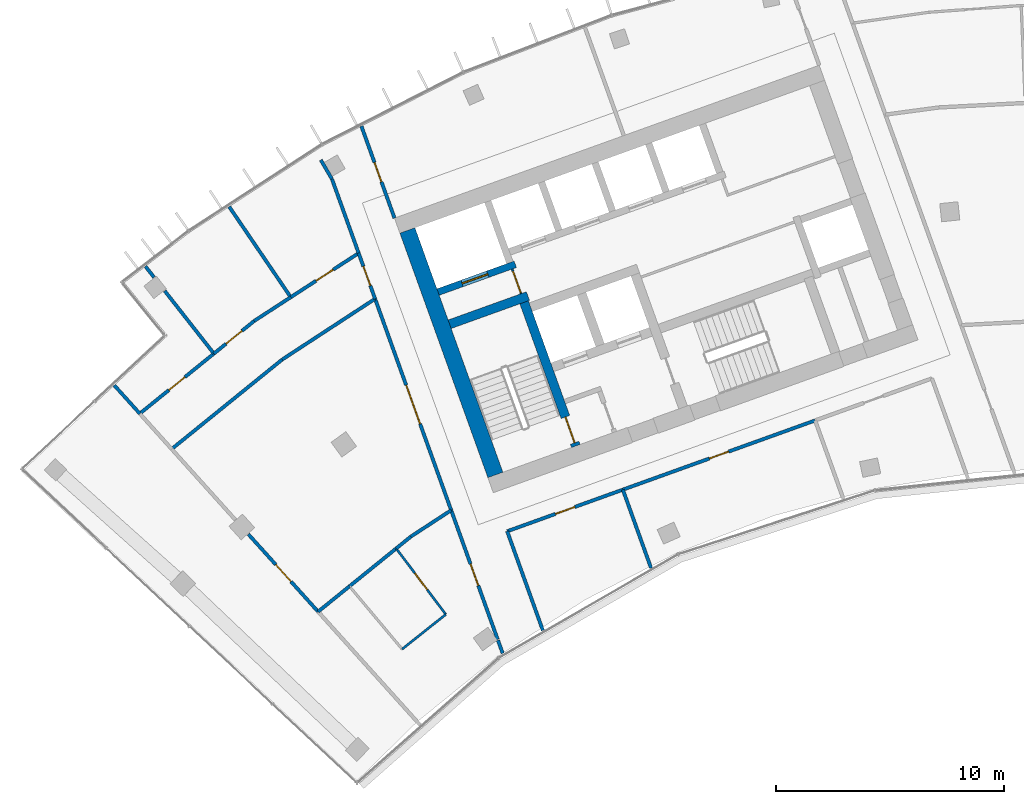
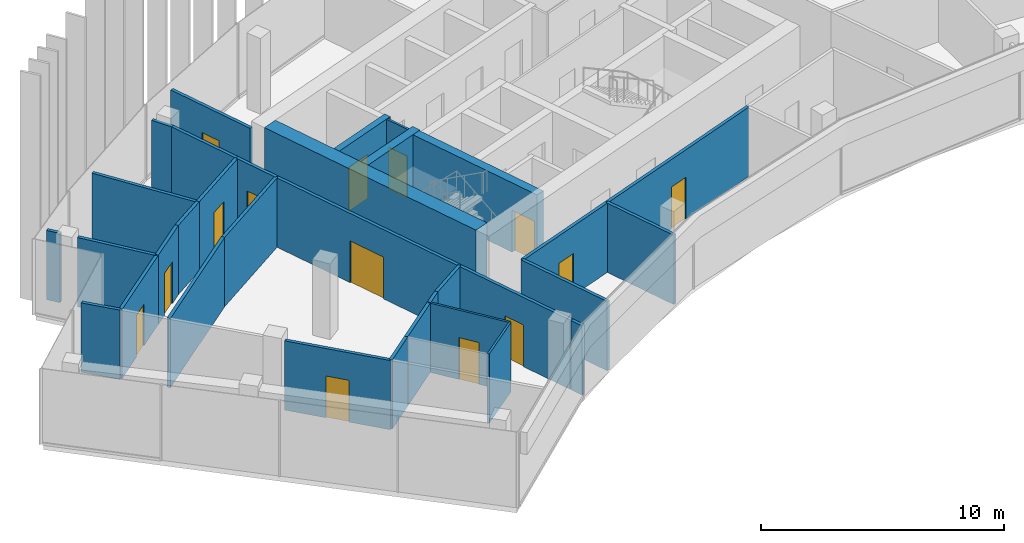
# One storey, part 13 of 18: 33 walls, 14 doors, 14 openings.
"""IFC4 building model written with IfcOpenShell, lengths in metres."""

from ifc_helpers import new_model, si_unit, direction, frame, frame_2d, origin, place, context, subcontext, project, spatial, rectangle, extrude, material, layer, layer_set, type_object, element, fill, save


model = new_model("IFC4")

# Units and contexts
model_context = context("Model", 3, precision=1e-05, world=origin(), true_north=direction((0.0, 1.0)))
body_context = subcontext(model_context, "Body", "Model", "MODEL_VIEW")
ifc_project = project(units=[si_unit("LENGTHUNIT", "METRE"), si_unit("AREAUNIT", "SQUARE_METRE"), si_unit("VOLUMEUNIT", "CUBIC_METRE"), si_unit("PLANEANGLEUNIT", "RADIAN"), si_unit("MASSUNIT", "GRAM", prefix="KILO")], contexts=[model_context])

# Site, building, storey
site_placement = place(None, origin())
site = spatial("IfcSite", under=ifc_project, at=site_placement, CompositionType="ELEMENT")
building_placement = place(site_placement, origin())
building = spatial("IfcBuilding", under=site, at=building_placement, Name="Stone Belt Terrace Tower", CompositionType="ELEMENT")
storey_placement = place(building_placement, frame((0.0, 0.0, 269.39990234375)))
storey = spatial("IfcBuildingStorey", under=building, at=storey_placement, Name="L65", CompositionType="ELEMENT", Elevation=269.39990234375)

# Wall, opening, door
ifc_material_1 = material(Name="Plasterboard partition")
ifc_layer_1 = layer(ifc_material_1, 0.10009765625)
ifc_layer_set_1 = layer_set([ifc_layer_1], Name="Core partition 100")
wall_type_1 = type_object("IfcWallType", Name="Core partition 100", PredefinedType="PARTITIONING", material=ifc_layer_set_1)
wall_1_placement = place(storey_placement, frame((-24.555908203125, 51.10400390625, 0.0), z_axis=(0.0, 0.0, 1.0), x_axis=(-0.338621735342, 0.94092258999, 0.0)))
wall_1 = element("IfcWall", 1, at=wall_1_placement, inside=storey, type_object=wall_type_1, Name="Core A wall", PredefinedType="PARTITIONING", context=body_context, shape_type="SweptSolid", body=[
    extrude(rectangle(XDim=1.14990234375, YDim=0.10009765625, at=frame_2d((0.574951171875, 0.0))), origin(), (0.0, 0.0, 1.0), 3.47998046875),
])
opening_1_placement = place(wall_1_placement, frame((0.050048828125, 0.0, 0.0)))
opening_1 = element("IfcOpeningElement", 2, at=opening_1_placement, cuts=wall_1, Name="Opening L65-C03", PredefinedType="OPENING", context=body_context, shape_type="SweptSolid", body=[
    extrude(rectangle(XDim=1.0, YDim=2.10009765625, at=frame_2d((0.5, 1.050048828125))), frame((0.0, 0.06005859375, 0.0), z_axis=(0.0, -1.0, 0.0), x_axis=(1.0, 0.0, 0.0)), (0.0, 0.0, 1.0), 0.1201171875),
])
ifc_material_2 = material(Name="Timber door leaf", Category="wood")
door_type_1 = type_object("IfcDoorType", Name="Core room door 1000", OperationType="SINGLE_SWING_LEFT", PredefinedType="DOOR", material=ifc_material_2)
door_1_placement = place(opening_1_placement, origin())
door_1 = element("IfcDoor", 3, at=door_1_placement, inside=storey, type_object=door_type_1, Name="Service lift lobby door core A", OperationType="SINGLE_SWING_RIGHT", OverallHeight=2.10009765625, OverallWidth=1.0, PredefinedType="DOOR", context=body_context, shape_type="SweptSolid", body=[
    extrude(rectangle(XDim=1.0, YDim=2.10009765625, at=frame_2d((0.5, 1.050048828125))), frame((0.0, 0.02490234375, 0.0), z_axis=(0.0, -1.0, 0.0), x_axis=(1.0, 0.0, 0.0)), (0.0, 0.0, 1.0), 0.050048828125),
])
fill(opening_1, door_1)

# Wall
ifc_material_3 = material(Name="Concrete B60", Category="concrete")
ifc_layer_2 = layer(ifc_material_3, 0.699951171875)
ifc_layer_set_2 = layer_set([ifc_layer_2], Name="Core wall 700 B60")
wall_type_2 = type_object("IfcWallType", Name="Core wall 700 B60", PredefinedType="SHEAR", material=ifc_layer_set_2)
wall_2_placement = place(storey_placement, frame((-25.679931640625, 43.153564453125, 0.0), z_axis=(0.0, 0.0, 1.0), x_axis=(-0.338625431531, 0.940921259788, 0.0)))
element("IfcWall", 4, at=wall_2_placement, inside=storey, type_object=wall_type_2, Name="Core A wall end_a L65", PredefinedType="SHEAR", context=body_context, shape_type="SweptSolid", body=[
    extrude(rectangle(XDim=11.400146484375, YDim=0.699951171875, at=frame_2d((5.7001953125, 0.0))), origin(), (0.0, 0.0, 1.0), 3.800048828125),
])

# Wall, opening, door
ifc_material_4 = material(Name="Concrete B80", Category="concrete")
ifc_layer_3 = layer(ifc_material_4, 0.300048828125)
ifc_layer_set_3 = layer_set([ifc_layer_3], Name="Lift shaft wall 300")
wall_type_3 = type_object("IfcWallType", Name="Lift shaft wall 300", PredefinedType="SHEAR", material=ifc_layer_set_3)
wall_3_placement = place(storey_placement, frame((-28.195068359375, 51.17578125, 0.0), z_axis=(0.0, 0.0, 1.0), x_axis=(0.940901243567, 0.338681044427, 0.0)))
wall_3 = element("IfcWall", 5, at=wall_3_placement, inside=storey, type_object=wall_type_3, Name="Core A wall", PredefinedType="SHEAR", context=body_context, shape_type="SweptSolid", body=[
    extrude(rectangle(XDim=3.599853515625, YDim=0.300048828125, at=frame_2d((1.7998046875, 0.0))), origin(), (0.0, 0.0, 1.0), 3.47998046875),
])
opening_2_placement = place(wall_3_placement, frame((1.1201171875, 0.0, 0.0)))
opening_2 = element("IfcOpeningElement", 6, at=opening_2_placement, cuts=wall_3, Name="Opening L65-LD07", PredefinedType="OPENING", context=body_context, shape_type="SweptSolid", body=[
    extrude(rectangle(XDim=1.199951171875, YDim=2.199951171875, at=frame_2d((0.60009765625, 1.10009765625))), frame((0.0, 0.159912109375, 0.0), z_axis=(0.0, -1.0, 0.0), x_axis=(1.0, 0.0, 0.0)), (0.0, 0.0, 1.0), 0.320068359375),
])
ifc_material_5 = material(Name="Stainless steel door leaf", Category="steel")
door_type_2 = type_object("IfcDoorType", Name="Landing door 1200", OperationType="SLIDING_TO_LEFT", PredefinedType="DOOR", material=ifc_material_5)
door_2_placement = place(opening_2_placement, origin())
door_2 = element("IfcDoor", 7, at=door_2_placement, inside=storey, type_object=door_type_2, Name="Landing door SV1 core A", OperationType="SLIDING_TO_LEFT", OverallHeight=2.199951171875, OverallWidth=1.199951171875, PredefinedType="DOOR", context=body_context, shape_type="SweptSolid", body=[
    extrude(rectangle(XDim=1.199951171875, YDim=2.199951171875, at=frame_2d((0.60009765625, 1.10009765625))), frame((0.0, 0.02490234375, 0.0), z_axis=(0.0, -1.0, 0.0), x_axis=(1.0, 0.0, 0.0)), (0.0, 0.0, 1.0), 0.050048828125),
])
fill(opening_2, door_2)

# Wall
ifc_material_6 = material(Name="Gypsum board partition")
ifc_layer_4 = layer(ifc_material_6, 0.10009765625)
ifc_layer_set_4 = layer_set([ifc_layer_4], Name="PARTITION 100")
wall_type_4 = type_object("IfcWallType", Name="PARTITION 100", PredefinedType="PARTITIONING", material=ifc_layer_set_4)
wall_4_placement = place(storey_placement, frame((-29.77197265625, 35.513916015625, 0.0), z_axis=(0.0, 0.0, 1.0), x_axis=(0.782936572479, 0.622101537914, 0.0)))
element("IfcWall", 8, at=wall_4_placement, inside=storey, type_object=wall_type_4, Name="L65/wall/i048", PredefinedType="PARTITIONING", context=body_context, shape_type="SweptSolid", body=[
    extrude(rectangle(XDim=2.448486328125, YDim=0.10009765625, at=frame_2d((1.22412109375, 0.0))), origin(), (0.0, 0.0, 1.0), 3.47998046875),
])

# Wall, opening, door
wall_5_placement = place(storey_placement, frame((-27.85498046875, 37.037109375, 0.0), z_axis=(0.0, 0.0, 1.0), x_axis=(-0.601304714061, 0.799019800035, 0.0)))
wall_5 = element("IfcWall", 9, at=wall_5_placement, inside=storey, type_object=wall_type_4, Name="L65/wall/i049", PredefinedType="PARTITIONING", context=body_context, shape_type="SweptSolid", body=[
    extrude(rectangle(XDim=3.620361328125, YDim=0.10009765625, at=frame_2d((1.81005859375, 0.0))), origin(), (0.0, 0.0, 1.0), 3.47998046875),
])
opening_3_placement = place(wall_5_placement, frame((1.3603515625, 0.0, 0.0)))
opening_3 = element("IfcOpeningElement", 10, at=opening_3_placement, cuts=wall_5, Name="Opening D-E1-13", PredefinedType="OPENING", context=body_context, shape_type="SweptSolid", body=[
    extrude(rectangle(XDim=0.89990234375, YDim=2.10009765625, at=frame_2d((0.449951171875, 1.050048828125))), frame((0.0, 0.06005859375, 0.0), z_axis=(0.0, -1.0, 0.0), x_axis=(1.0, 0.0, 0.0)), (0.0, 0.0, 1.0), 0.1201171875),
])
door_type_3 = type_object("IfcDoorType", Name="OFFICE DOOR 900 X 2100", OperationType="NOTDEFINED", PredefinedType="DOOR", material=ifc_material_2)
door_3_placement = place(opening_3_placement, origin())
door_3 = element("IfcDoor", 11, at=door_3_placement, inside=storey, type_object=door_type_3, Name="L65/door/i13", OperationType="SINGLE_SWING_RIGHT", OverallHeight=2.10009765625, OverallWidth=0.89990234375, PredefinedType="DOOR", context=body_context, shape_type="SweptSolid", body=[
    extrude(rectangle(XDim=0.89990234375, YDim=2.10009765625, at=frame_2d((0.449951171875, 1.050048828125))), frame((0.0, 0.02490234375, 0.0), z_axis=(0.0, -1.0, 0.0), x_axis=(1.0, 0.0, 0.0)), (0.0, 0.0, 1.0), 0.050048828125),
])
fill(opening_3, door_3)

# Wall
ifc_layer_5 = layer(ifc_material_6, 0.14990234375)
ifc_layer_set_5 = layer_set([ifc_layer_5], Name="PARTITION 150 EI 60")
wall_type_5 = type_object("IfcWallType", Name="PARTITION 150 EI 60", PredefinedType="PARTITIONING", material=ifc_layer_set_5)
wall_6_placement = place(storey_placement, frame((-25.1650390625, 40.68896484375, 0.0), z_axis=(0.0, 0.0, 1.0), x_axis=(0.338672803798, -0.940904209773, 0.0)))
element("IfcWall", 12, at=wall_6_placement, inside=storey, type_object=wall_type_5, Name="L65/wall/i001", PredefinedType="PARTITIONING", context=body_context, shape_type="SweptSolid", body=[
    extrude(rectangle(XDim=4.631591796875, YDim=0.14990234375, at=frame_2d((2.31591796875, 0.0))), origin(), (0.0, 0.0, 1.0), 3.47998046875),
])

# Wall, opening, door
wall_7_placement = place(storey_placement, frame((-31.556884765625, 58.451171875, 0.0), z_axis=(0.0, 0.0, 1.0), x_axis=(0.338725523051, -0.940885232127, 0.0)))
wall_7 = element("IfcWall", 13, at=wall_7_placement, inside=storey, type_object=wall_type_5, Name="L65/wall/i002", PredefinedType="PARTITIONING", context=body_context, shape_type="SweptSolid", body=[
    extrude(rectangle(XDim=4.283447265625, YDim=0.14990234375, at=frame_2d((2.1416015625, 0.0))), origin(), (0.0, 0.0, 1.0), 3.47998046875),
])
opening_4_placement = place(wall_7_placement, frame((1.691650390625, 0.0, 0.0)))
opening_4 = element("IfcOpeningElement", 14, at=opening_4_placement, cuts=wall_7, Name="Opening D-E1-04", PredefinedType="OPENING", context=body_context, shape_type="SweptSolid", body=[
    extrude(rectangle(XDim=0.89990234375, YDim=2.10009765625, at=frame_2d((0.449951171875, 1.050048828125))), frame((0.0, 0.0849609375, 0.0), z_axis=(0.0, -1.0, 0.0), x_axis=(1.0, 0.0, 0.0)), (0.0, 0.0, 1.0), 0.169921875),
])
door_4_placement = place(opening_4_placement, origin())
door_4 = element("IfcDoor", 15, at=door_4_placement, inside=storey, type_object=door_type_3, Name="L65/door/i04", OperationType="SINGLE_SWING_RIGHT", OverallHeight=2.10009765625, OverallWidth=0.89990234375, PredefinedType="DOOR", context=body_context, shape_type="SweptSolid", body=[
    extrude(rectangle(XDim=0.89990234375, YDim=2.10009765625, at=frame_2d((0.449951171875, 1.050048828125))), frame((0.0, 0.02490234375, 0.0), z_axis=(0.0, -1.0, 0.0), x_axis=(1.0, 0.0, 0.0)), (0.0, 0.0, 1.0), 0.050048828125),
])
fill(opening_4, door_4)

# Wall
wall_8_placement = place(storey_placement, frame((-25.361083984375, 35.330810546875, 0.0), z_axis=(0.0, 0.0, 1.0), x_axis=(-0.338533716033, 0.940954261964, 0.0)))
element("IfcWall", 16, at=wall_8_placement, inside=storey, type_object=wall_type_5, Name="L65/wall/i003", PredefinedType="PARTITIONING", context=body_context, shape_type="SweptSolid", body=[
    extrude(rectangle(XDim=0.60498046875, YDim=0.14990234375, at=frame_2d((0.302490234375, 0.0))), origin(), (0.0, 0.0, 1.0), 3.47998046875),
])

# Wall, opening, door
wall_9_placement = place(storey_placement, frame((-25.580322265625, 35.93994140625, 0.0), z_axis=(0.0, 0.0, 1.0), x_axis=(-0.338636303074, 0.940917347188, 0.0)))
wall_9 = element("IfcWall", 17, at=wall_9_placement, inside=storey, type_object=wall_type_5, Name="L65/wall/i004", PredefinedType="PARTITIONING", context=body_context, shape_type="SweptSolid", body=[
    extrude(rectangle(XDim=6.029296875, YDim=0.14990234375, at=frame_2d((3.0146484375, 0.0))), origin(), (0.0, 0.0, 1.0), 3.47998046875),
])
opening_5_placement = place(wall_9_placement, frame((2.5146484375, 0.0, 0.0)))
opening_5 = element("IfcOpeningElement", 18, at=opening_5_placement, cuts=wall_9, Name="Opening D-E1-12", PredefinedType="OPENING", context=body_context, shape_type="SweptSolid", body=[
    extrude(rectangle(XDim=1.0, YDim=2.10009765625, at=frame_2d((0.5, 1.050048828125))), frame((0.0, 0.0849609375, 0.0), z_axis=(0.0, -1.0, 0.0), x_axis=(1.0, 0.0, 0.0)), (0.0, 0.0, 1.0), 0.169921875),
])
ifc_material_7 = material(Name="Timber fire door leaf", Category="wood")
door_type_4 = type_object("IfcDoorType", Name="TENANCY ENTRANCE DOOR 1000 X 2100", OperationType="NOTDEFINED", PredefinedType="DOOR", material=ifc_material_7)
door_5_placement = place(opening_5_placement, origin())
door_5 = element("IfcDoor", 19, at=door_5_placement, inside=storey, type_object=door_type_4, Name="L65/door/i12", OperationType="SINGLE_SWING_RIGHT", OverallHeight=2.10009765625, OverallWidth=1.0, PredefinedType="DOOR", context=body_context, shape_type="SweptSolid", body=[
    extrude(rectangle(XDim=1.0, YDim=2.10009765625, at=frame_2d((0.5, 1.050048828125))), frame((0.0, 0.02490234375, 0.0), z_axis=(0.0, -1.0, 0.0), x_axis=(1.0, 0.0, 0.0)), (0.0, 0.0, 1.0), 0.050048828125),
])
fill(opening_5, door_5)

wall_10_placement = place(storey_placement, frame((-30.9560546875, 50.8740234375, 0.0), z_axis=(0.0, 0.0, 1.0), x_axis=(-0.338364310081, 0.94101519311, 0.0)))
wall_10 = element("IfcWall", 20, at=wall_10_placement, inside=storey, type_object=wall_type_5, Name="L65/wall/i005", PredefinedType="PARTITIONING", context=body_context, shape_type="SweptSolid", body=[
    extrude(rectangle(XDim=2.142333984375, YDim=0.14990234375, at=frame_2d((1.0712890625, 0.0))), origin(), (0.0, 0.0, 1.0), 3.47998046875),
])
opening_6_placement = place(wall_10_placement, frame((0.62109375, 0.0, 0.0)))
opening_6 = element("IfcOpeningElement", 21, at=opening_6_placement, cuts=wall_10, Name="Opening D-E1-14", PredefinedType="OPENING", context=body_context, shape_type="SweptSolid", body=[
    extrude(rectangle(XDim=0.89990234375, YDim=2.10009765625, at=frame_2d((0.449951171875, 1.050048828125))), frame((0.0, 0.0849609375, 0.0), z_axis=(0.0, -1.0, 0.0), x_axis=(1.0, 0.0, 0.0)), (0.0, 0.0, 1.0), 0.169921875),
])
door_6_placement = place(opening_6_placement, origin())
door_6 = element("IfcDoor", 22, at=door_6_placement, inside=storey, type_object=door_type_3, Name="L65/door/i14", OperationType="SINGLE_SWING_RIGHT", OverallHeight=2.10009765625, OverallWidth=0.89990234375, PredefinedType="DOOR", context=body_context, shape_type="SweptSolid", body=[
    extrude(rectangle(XDim=0.89990234375, YDim=2.10009765625, at=frame_2d((0.449951171875, 1.050048828125))), frame((0.0, 0.02490234375, 0.0), z_axis=(0.0, -1.0, 0.0), x_axis=(1.0, 0.0, 0.0)), (0.0, 0.0, 1.0), 0.050048828125),
])
fill(opening_6, door_6)

# Walls
wall_11_placement = place(storey_placement, frame((-31.677001953125, 52.8779296875, 0.0), z_axis=(0.0, 0.0, 1.0), x_axis=(-0.338749400417, 0.940876635759, 0.0)))
element("IfcWall", 23, at=wall_11_placement, inside=storey, type_object=wall_type_5, Name="L65/wall/i006", PredefinedType="PARTITIONING", context=body_context, shape_type="SweptSolid", body=[
    extrude(rectangle(XDim=3.4658203125, YDim=0.14990234375, at=frame_2d((1.73291015625, 0.0))), origin(), (0.0, 0.0, 1.0), 3.47998046875),
])
wall_12_placement = place(storey_placement, frame((-32.85107421875, 56.138916015625, 0.0), z_axis=(0.0, 0.0, 1.0), x_axis=(-0.505505320148, 0.862823487917, 0.0)))
element("IfcWall", 24, at=wall_12_placement, inside=storey, type_object=wall_type_5, Name="L65/wall/i007", PredefinedType="PARTITIONING", context=body_context, shape_type="SweptSolid", body=[
    extrude(rectangle(XDim=0.96533203125, YDim=0.14990234375, at=frame_2d((0.482666015625, 0.0))), origin(), (0.0, 0.0, 1.0), 3.47998046875),
])

# Wall, opening, door
wall_13_placement = place(storey_placement, frame((-27.617919921875, 41.60107421875, 0.0), z_axis=(0.0, 0.0, 1.0), x_axis=(-0.338672159599, 0.940904441648, 0.0)))
wall_13 = element("IfcWall", 25, at=wall_13_placement, inside=storey, type_object=wall_type_5, Name="L65/wall/i008", PredefinedType="PARTITIONING", context=body_context, shape_type="SweptSolid", body=[
    extrude(rectangle(XDim=9.8681640625, YDim=0.14990234375, at=frame_2d((4.93408203125, 0.0))), origin(), (0.0, 0.0, 1.0), 3.47998046875),
])
opening_7_placement = place(wall_13_placement, frame((4.0341796875, 0.0, 0.0)))
opening_7 = element("IfcOpeningElement", 26, at=opening_7_placement, cuts=wall_13, Name="Opening D-E1-18", PredefinedType="OPENING", context=body_context, shape_type="SweptSolid", body=[
    extrude(rectangle(XDim=1.800048828125, YDim=2.10009765625, at=frame_2d((0.89990234375, 1.050048828125))), frame((0.0, 0.0849609375, 0.0), z_axis=(0.0, -1.0, 0.0), x_axis=(1.0, 0.0, 0.0)), (0.0, 0.0, 1.0), 0.169921875),
])
door_type_5 = type_object("IfcDoorType", Name="DOUBLE DOOR 1800 X 2100", OperationType="DOUBLE_DOOR_SINGLE_SWING", PredefinedType="DOOR", material=ifc_material_2)
door_7_placement = place(opening_7_placement, origin())
door_7 = element("IfcDoor", 27, at=door_7_placement, inside=storey, type_object=door_type_5, Name="L65/door/i18", OperationType="DOUBLE_DOOR_SINGLE_SWING", OverallHeight=2.10009765625, OverallWidth=1.800048828125, PredefinedType="DOOR", context=body_context, shape_type="SweptSolid", body=[
    extrude(rectangle(XDim=1.800048828125, YDim=2.10009765625, at=frame_2d((0.89990234375, 1.050048828125))), frame((0.0, 0.02490234375, 0.0), z_axis=(0.0, -1.0, 0.0), x_axis=(1.0, 0.0, 0.0)), (0.0, 0.0, 1.0), 0.050048828125),
])
fill(opening_7, door_7)

wall_14_placement = place(storey_placement, frame((-20.0830078125, 42.510986328125, 0.0), z_axis=(0.0, 0.0, 1.0), x_axis=(-0.940943315894, -0.338564139086, 0.0)))
wall_14 = element("IfcWall", 28, at=wall_14_placement, inside=storey, type_object=wall_type_5, Name="L65/wall/i016", PredefinedType="PARTITIONING", context=body_context, shape_type="SweptSolid", body=[
    extrude(rectangle(XDim=5.39892578125, YDim=0.14990234375, at=frame_2d((2.699462890625, 0.0))), origin(), (0.0, 0.0, 1.0), 3.47998046875),
])
opening_8_placement = place(wall_14_placement, frame((2.24951171875, 0.0, 0.0)))
opening_8 = element("IfcOpeningElement", 29, at=opening_8_placement, cuts=wall_14, Name="Opening D-E1-01", PredefinedType="OPENING", context=body_context, shape_type="SweptSolid", body=[
    extrude(rectangle(XDim=0.89990234375, YDim=2.10009765625, at=frame_2d((0.449951171875, 1.050048828125))), frame((0.0, 0.0849609375, 0.0), z_axis=(0.0, -1.0, 0.0), x_axis=(1.0, 0.0, 0.0)), (0.0, 0.0, 1.0), 0.169921875),
])
door_8_placement = place(opening_8_placement, origin())
door_8 = element("IfcDoor", 30, at=door_8_placement, inside=storey, type_object=door_type_3, Name="L65/door/i01", OperationType="SINGLE_SWING_RIGHT", OverallHeight=2.10009765625, OverallWidth=0.89990234375, PredefinedType="DOOR", context=body_context, shape_type="SweptSolid", body=[
    extrude(rectangle(XDim=0.89990234375, YDim=2.10009765625, at=frame_2d((0.449951171875, 1.050048828125))), frame((0.0, 0.02490234375, 0.0), z_axis=(0.0, -1.0, 0.0), x_axis=(1.0, 0.0, 0.0)), (0.0, 0.0, 1.0), 0.050048828125),
])
fill(opening_8, door_8)

wall_15_placement = place(storey_placement, frame((-11.64892578125, 45.547119140625, 0.0), z_axis=(0.0, 0.0, 1.0), x_axis=(-0.940906479628, -0.338666497596, 0.0)))
wall_15 = element("IfcWall", 31, at=wall_15_placement, inside=storey, type_object=wall_type_5, Name="L65/wall/i017", PredefinedType="PARTITIONING", context=body_context, shape_type="SweptSolid", body=[
    extrude(rectangle(XDim=8.9765625, YDim=0.14990234375, at=frame_2d((4.48828125, 0.0))), origin(), (0.0, 0.0, 1.0), 3.47998046875),
])
opening_9_placement = place(wall_15_placement, frame((4.038330078125, 0.0, 0.0)))
opening_9 = element("IfcOpeningElement", 32, at=opening_9_placement, cuts=wall_15, Name="Opening D-E1-02", PredefinedType="OPENING", context=body_context, shape_type="SweptSolid", body=[
    extrude(rectangle(XDim=0.89990234375, YDim=2.10009765625, at=frame_2d((0.449951171875, 1.050048828125))), frame((0.0, 0.0849609375, 0.0), z_axis=(0.0, -1.0, 0.0), x_axis=(1.0, 0.0, 0.0)), (0.0, 0.0, 1.0), 0.169921875),
])
door_9_placement = place(opening_9_placement, origin())
door_9 = element("IfcDoor", 33, at=door_9_placement, inside=storey, type_object=door_type_3, Name="L65/door/i02", OperationType="SINGLE_SWING_RIGHT", OverallHeight=2.10009765625, OverallWidth=0.89990234375, PredefinedType="DOOR", context=body_context, shape_type="SweptSolid", body=[
    extrude(rectangle(XDim=0.89990234375, YDim=2.10009765625, at=frame_2d((0.449951171875, 1.050048828125))), frame((0.0, 0.02490234375, 0.0), z_axis=(0.0, -1.0, 0.0), x_axis=(1.0, 0.0, 0.0)), (0.0, 0.0, 1.0), 0.050048828125),
])
fill(opening_9, door_9)

# Walls
wall_16_placement = place(storey_placement, frame((-20.089111328125, 42.509033203125, 0.0), z_axis=(0.0, 0.0, 1.0), x_axis=(0.338565699627, -0.940942754389, 0.0)))
element("IfcWall", 34, at=wall_16_placement, inside=storey, type_object=wall_type_5, Name="L65/wall/i019", PredefinedType="PARTITIONING", context=body_context, shape_type="SweptSolid", body=[
    extrude(rectangle(XDim=3.654541015625, YDim=0.14990234375, at=frame_2d((1.8271484375, 0.0))), origin(), (0.0, 0.0, 1.0), 3.47998046875),
])
wall_17_placement = place(storey_placement, frame((-42.39892578125, 47.08837890625, 0.0), z_axis=(0.0, 0.0, 1.0), x_axis=(0.669149398275, -0.74312790473, 0.0)))
element("IfcWall", 35, at=wall_17_placement, inside=storey, type_object=wall_type_5, Name="L65/wall/i044", PredefinedType="PARTITIONING", context=body_context, shape_type="SweptSolid", body=[
    extrude(rectangle(XDim=1.6796875, YDim=0.14990234375, at=frame_2d((0.83984375, 0.0))), origin(), (0.0, 0.0, 1.0), 3.47998046875),
])

# Wall, opening, door
wall_18_placement = place(storey_placement, frame((-33.452880859375, 37.152099609375, 0.0), z_axis=(0.0, 0.0, 1.0), x_axis=(-0.669112093369, 0.74316149423, 0.0)))
wall_18 = element("IfcWall", 36, at=wall_18_placement, inside=storey, type_object=wall_type_5, Name="L65/wall/i046", PredefinedType="PARTITIONING", context=body_context, shape_type="SweptSolid", body=[
    extrude(rectangle(XDim=4.576171875, YDim=0.14990234375, at=frame_2d((2.2880859375, 0.0))), origin(), (0.0, 0.0, 1.0), 3.47998046875),
])
opening_10_placement = place(wall_18_placement, frame((1.7880859375, 0.0, 0.0)))
opening_10 = element("IfcOpeningElement", 37, at=opening_10_placement, cuts=wall_18, Name="Opening D-E1-11", PredefinedType="OPENING", context=body_context, shape_type="SweptSolid", body=[
    extrude(rectangle(XDim=1.0, YDim=2.10009765625, at=frame_2d((0.5, 1.050048828125))), frame((0.0, 0.0849609375, 0.0), z_axis=(0.0, -1.0, 0.0), x_axis=(1.0, 0.0, 0.0)), (0.0, 0.0, 1.0), 0.169921875),
])
door_10_placement = place(opening_10_placement, origin())
door_10 = element("IfcDoor", 38, at=door_10_placement, inside=storey, type_object=door_type_4, Name="L65/door/i11", OperationType="SINGLE_SWING_RIGHT", OverallHeight=2.10009765625, OverallWidth=1.0, PredefinedType="DOOR", context=body_context, shape_type="SweptSolid", body=[
    extrude(rectangle(XDim=1.0, YDim=2.10009765625, at=frame_2d((0.5, 1.050048828125))), frame((0.0, 0.02490234375, 0.0), z_axis=(0.0, -1.0, 0.0), x_axis=(1.0, 0.0, 0.0)), (0.0, 0.0, 1.0), 0.050048828125),
])
fill(opening_10, door_10)

# Walls
wall_19_placement = place(storey_placement, frame((-33.45703125, 37.156982421875, 0.0), z_axis=(0.0, 0.0, 1.0), x_axis=(0.777260939876, 0.629178378, 0.0)))
element("IfcWall", 39, at=wall_19_placement, inside=storey, type_object=wall_type_5, Name="L65/wall/i050", PredefinedType="PARTITIONING", context=body_context, shape_type="SweptSolid", body=[
    extrude(rectangle(XDim=1.76904296875, YDim=0.14990234375, at=frame_2d((0.884521484375, 0.0))), origin(), (0.0, 0.0, 1.0), 3.47998046875),
])
wall_20_placement = place(storey_placement, frame((-30.031982421875, 39.929931640625, 0.0), z_axis=(0.0, 0.0, 1.0), x_axis=(0.776997505944, 0.62950367414, 0.0)))
element("IfcWall", 40, at=wall_20_placement, inside=storey, type_object=wall_type_5, Name="L65/wall/i051", PredefinedType="PARTITIONING", context=body_context, shape_type="SweptSolid", body=[
    extrude(rectangle(XDim=0.82763671875, YDim=0.14990234375, at=frame_2d((0.413818359375, 0.0))), origin(), (0.0, 0.0, 1.0), 3.47998046875),
])
wall_21_placement = place(storey_placement, frame((-29.388916015625, 40.450927734375, 0.0), z_axis=(0.0, 0.0, 1.0), x_axis=(0.837081543775, 0.547078137995, 0.0)))
element("IfcWall", 41, at=wall_21_placement, inside=storey, type_object=wall_type_5, Name="L65/wall/i052", PredefinedType="PARTITIONING", context=body_context, shape_type="SweptSolid", body=[
    extrude(rectangle(XDim=2.113037109375, YDim=0.14990234375, at=frame_2d((1.056640625, 0.0))), origin(), (0.0, 0.0, 1.0), 3.47998046875),
])
wall_22_placement = place(storey_placement, frame((-32.08203125, 38.27001953125, 0.0), z_axis=(0.0, 0.0, 1.0), x_axis=(0.777180205234, 0.629278101154, 0.0)))
element("IfcWall", 42, at=wall_22_placement, inside=storey, type_object=wall_type_5, Name="L65/wall/i053", PredefinedType="PARTITIONING", context=body_context, shape_type="SweptSolid", body=[
    extrude(rectangle(XDim=2.6376953125, YDim=0.14990234375, at=frame_2d((1.31884765625, 0.0))), origin(), (0.0, 0.0, 1.0), 3.47998046875),
])

# Wall, opening, door
wall_23_placement = place(storey_placement, frame((-41.279052734375, 45.844970703125, 0.0), z_axis=(0.0, 0.0, 1.0), x_axis=(0.777120018263, 0.629352426877, 0.0)))
wall_23 = element("IfcWall", 43, at=wall_23_placement, inside=storey, type_object=wall_type_5, Name="L65/wall/i054", PredefinedType="PARTITIONING", context=body_context, shape_type="SweptSolid", body=[
    extrude(rectangle(XDim=4.18994140625, YDim=0.14990234375, at=frame_2d((2.094970703125, 0.0))), origin(), (0.0, 0.0, 1.0), 3.47998046875),
])
opening_11_placement = place(wall_23_placement, frame((1.64501953125, 0.0, 0.0)))
opening_11 = element("IfcOpeningElement", 44, at=opening_11_placement, cuts=wall_23, Name="Opening D-E1-15", PredefinedType="OPENING", context=body_context, shape_type="SweptSolid", body=[
    extrude(rectangle(XDim=0.89990234375, YDim=2.10009765625, at=frame_2d((0.449951171875, 1.050048828125))), frame((0.0, 0.0849609375, 0.0), z_axis=(0.0, -1.0, 0.0), x_axis=(1.0, 0.0, 0.0)), (0.0, 0.0, 1.0), 0.169921875),
])
door_11_placement = place(opening_11_placement, origin())
door_11 = element("IfcDoor", 45, at=door_11_placement, inside=storey, type_object=door_type_3, Name="L65/door/i15", OperationType="SINGLE_SWING_RIGHT", OverallHeight=2.10009765625, OverallWidth=0.89990234375, PredefinedType="DOOR", context=body_context, shape_type="SweptSolid", body=[
    extrude(rectangle(XDim=0.89990234375, YDim=2.10009765625, at=frame_2d((0.449951171875, 1.050048828125))), frame((0.0, 0.02490234375, 0.0), z_axis=(0.0, -1.0, 0.0), x_axis=(1.0, 0.0, 0.0)), (0.0, 0.0, 1.0), 0.050048828125),
])
fill(opening_11, door_11)

wall_24_placement = place(storey_placement, frame((-38.031982421875, 48.47412109375, 0.0), z_axis=(0.0, 0.0, 1.0), x_axis=(0.776997863972, 0.629503232226, 0.0)))
wall_24 = element("IfcWall", 46, at=wall_24_placement, inside=storey, type_object=wall_type_5, Name="L65/wall/i055", PredefinedType="PARTITIONING", context=body_context, shape_type="SweptSolid", body=[
    extrude(rectangle(XDim=2.279296875, YDim=0.14990234375, at=frame_2d((1.1396484375, 0.0))), origin(), (0.0, 0.0, 1.0), 3.47998046875),
])
opening_12_placement = place(wall_24_placement, frame((0.689697265625, 0.0, 0.0)))
opening_12 = element("IfcOpeningElement", 47, at=opening_12_placement, cuts=wall_24, Name="Opening D-E1-16", PredefinedType="OPENING", context=body_context, shape_type="SweptSolid", body=[
    extrude(rectangle(XDim=0.89990234375, YDim=2.10009765625, at=frame_2d((0.449951171875, 1.050048828125))), frame((0.0, 0.0849609375, 0.0), z_axis=(0.0, -1.0, 0.0), x_axis=(1.0, 0.0, 0.0)), (0.0, 0.0, 1.0), 0.169921875),
])
door_12_placement = place(opening_12_placement, origin())
door_12 = element("IfcDoor", 48, at=door_12_placement, inside=storey, type_object=door_type_3, Name="L65/door/i16", OperationType="SINGLE_SWING_RIGHT", OverallHeight=2.10009765625, OverallWidth=0.89990234375, PredefinedType="DOOR", context=body_context, shape_type="SweptSolid", body=[
    extrude(rectangle(XDim=0.89990234375, YDim=2.10009765625, at=frame_2d((0.449951171875, 1.050048828125))), frame((0.0, 0.02490234375, 0.0), z_axis=(0.0, -1.0, 0.0), x_axis=(1.0, 0.0, 0.0)), (0.0, 0.0, 1.0), 0.050048828125),
])
fill(opening_12, door_12)

# Wall
wall_25_placement = place(storey_placement, frame((-36.260986328125, 49.908935546875, 0.0), z_axis=(0.0, 0.0, 1.0), x_axis=(0.838588953135, 0.544764690193, 0.0)))
element("IfcWall", 49, at=wall_25_placement, inside=storey, type_object=wall_type_5, Name="L65/wall/i056", PredefinedType="PARTITIONING", context=body_context, shape_type="SweptSolid", body=[
    extrude(rectangle(XDim=1.91845703125, YDim=0.14990234375, at=frame_2d((0.959228515625, 0.0))), origin(), (0.0, 0.0, 1.0), 3.47998046875),
])

# Wall, opening, door
wall_26_placement = place(storey_placement, frame((-34.662109375, 50.947998046875, 0.0), z_axis=(0.0, 0.0, 1.0), x_axis=(0.838830810825, 0.544392203113, 0.0)))
wall_26 = element("IfcWall", 50, at=wall_26_placement, inside=storey, type_object=wall_type_5, Name="L65/wall/i057", PredefinedType="PARTITIONING", context=body_context, shape_type="SweptSolid", body=[
    extrude(rectangle(XDim=3.556396484375, YDim=0.14990234375, at=frame_2d((1.7783203125, 0.0))), origin(), (0.0, 0.0, 1.0), 3.47998046875),
])
opening_13_placement = place(wall_26_placement, frame((1.328125, 0.0, 0.0)))
opening_13 = element("IfcOpeningElement", 51, at=opening_13_placement, cuts=wall_26, Name="Opening D-E1-17", PredefinedType="OPENING", context=body_context, shape_type="SweptSolid", body=[
    extrude(rectangle(XDim=0.89990234375, YDim=2.10009765625, at=frame_2d((0.449951171875, 1.050048828125))), frame((0.0, 0.0849609375, 0.0), z_axis=(0.0, -1.0, 0.0), x_axis=(1.0, 0.0, 0.0)), (0.0, 0.0, 1.0), 0.169921875),
])
door_13_placement = place(opening_13_placement, origin())
door_13 = element("IfcDoor", 52, at=door_13_placement, inside=storey, type_object=door_type_3, Name="L65/door/i17", OperationType="SINGLE_SWING_RIGHT", OverallHeight=2.10009765625, OverallWidth=0.89990234375, PredefinedType="DOOR", context=body_context, shape_type="SweptSolid", body=[
    extrude(rectangle(XDim=0.89990234375, YDim=2.10009765625, at=frame_2d((0.449951171875, 1.050048828125))), frame((0.0, 0.02490234375, 0.0), z_axis=(0.0, -1.0, 0.0), x_axis=(1.0, 0.0, 0.0)), (0.0, 0.0, 1.0), 0.050048828125),
])
fill(opening_13, door_13)

# Walls
wall_27_placement = place(storey_placement, frame((-30.9580078125, 50.8798828125, 0.0), z_axis=(0.0, 0.0, 1.0), x_axis=(-0.837055321155, -0.547118258995, 0.0)))
element("IfcWall", 53, at=wall_27_placement, inside=storey, type_object=wall_type_5, Name="L65/wall/i058", PredefinedType="PARTITIONING", context=body_context, shape_type="SweptSolid", body=[
    extrude(rectangle(XDim=4.866943359375, YDim=0.14990234375, at=frame_2d((2.43359375, 0.0))), origin(), (0.0, 0.0, 1.0), 3.47998046875),
])
wall_28_placement = place(storey_placement, frame((-35.031982421875, 48.217041015625, 0.0), z_axis=(0.0, 0.0, 1.0), x_axis=(-0.777124553354, -0.629346826937, 0.0)))
element("IfcWall", 54, at=wall_28_placement, inside=storey, type_object=wall_type_5, Name="L65/wall/i059", PredefinedType="PARTITIONING", context=body_context, shape_type="SweptSolid", body=[
    extrude(rectangle(XDim=6.23828125, YDim=0.14990234375, at=frame_2d((3.119140625, 0.0))), origin(), (0.0, 0.0, 1.0), 3.47998046875),
])
wall_29_placement = place(storey_placement, frame((-41.03076171875, 52.3056640625, 0.0), z_axis=(0.0, 0.0, 1.0), x_axis=(0.61729067696, -0.786735165185, 0.0)))
element("IfcWall", 55, at=wall_29_placement, inside=storey, type_object=wall_type_5, Name="L65/wall/i060", PredefinedType="PARTITIONING", context=body_context, shape_type="SweptSolid", body=[
    extrude(rectangle(XDim=0.609375, YDim=0.14990234375, at=frame_2d((0.3046875, 0.0))), origin(), (0.0, 0.0, 1.0), 3.47998046875),
])
wall_30_placement = place(storey_placement, frame((-40.185546875, 51.228271484375, 0.0), z_axis=(0.0, 0.0, 1.0), x_axis=(0.617213700374, -0.786795556718, 0.0)))
element("IfcWall", 56, at=wall_30_placement, inside=storey, type_object=wall_type_5, Name="L65/wall/i061", PredefinedType="PARTITIONING", context=body_context, shape_type="SweptSolid", body=[
    extrude(rectangle(XDim=3.49560546875, YDim=0.14990234375, at=frame_2d((1.747802734375, 0.0))), origin(), (0.0, 0.0, 1.0), 3.47998046875),
])
wall_31_placement = place(storey_placement, frame((-37.3583984375, 54.922607421875, 0.0), z_axis=(0.0, 0.0, 1.0), x_axis=(0.56240594474, -0.826861266067, 0.0)))
element("IfcWall", 57, at=wall_31_placement, inside=storey, type_object=wall_type_5, Name="L65/wall/i062", PredefinedType="PARTITIONING", context=body_context, shape_type="SweptSolid", body=[
    extrude(rectangle(XDim=4.80322265625, YDim=0.14990234375, at=frame_2d((2.401611328125, 0.0))), origin(), (0.0, 0.0, 1.0), 3.47998046875),
])
ifc_layer_6 = layer(ifc_material_4, 0.39990234375)
ifc_layer_set_6 = layer_set([ifc_layer_6], Name="Stair enclosure wall 400")
wall_type_6 = type_object("IfcWallType", Name="Stair enclosure wall 400", PredefinedType="SHEAR", material=ifc_layer_set_6)
wall_32_placement = place(storey_placement, frame((-27.687255859375, 49.764404296875, 0.0), z_axis=(0.0, 0.0, 1.0), x_axis=(0.940918954884, 0.338631835981, 0.0)))
element("IfcWall", 58, at=wall_32_placement, inside=storey, type_object=wall_type_6, Name="Core A wall", PredefinedType="SHEAR", context=body_context, shape_type="SweptSolid", body=[
    extrude(rectangle(XDim=3.650146484375, YDim=0.39990234375, at=frame_2d((1.8251953125, 0.0))), origin(), (0.0, 0.0, 1.0), 3.47998046875),
])

# Wall, opening, door
wall_33_placement = place(storey_placement, frame((-22.151611328125, 44.42333984375, 0.0), z_axis=(0.0, 0.0, 1.0), x_axis=(-0.338625272931, 0.940921316866, 0.0)))
wall_33 = element("IfcWall", 59, at=wall_33_placement, inside=storey, type_object=wall_type_6, Name="Core A wall", PredefinedType="SHEAR", context=body_context, shape_type="SweptSolid", body=[
    extrude(rectangle(XDim=6.699951171875, YDim=0.39990234375, at=frame_2d((3.35009765625, 0.0))), origin(), (0.0, 0.0, 1.0), 3.47998046875),
])
opening_14_placement = place(wall_33_placement, frame((0.14990234375, 0.0, 0.0)))
opening_14 = element("IfcOpeningElement", 60, at=opening_14_placement, cuts=wall_33, Name="Opening L65-C05", PredefinedType="OPENING", context=body_context, shape_type="SweptSolid", body=[
    extrude(rectangle(XDim=1.199951171875, YDim=2.10009765625, at=frame_2d((0.60009765625, 1.050048828125))), frame((0.0, 0.2099609375, 0.0), z_axis=(0.0, -1.0, 0.0), x_axis=(1.0, 0.0, 0.0)), (0.0, 0.0, 1.0), 0.419921875),
])
ifc_material_8 = material(Name="Steel door leaf", Category="steel")
door_type_6 = type_object("IfcDoorType", Name="Stair door 1200", OperationType="SINGLE_SWING_LEFT", PredefinedType="DOOR", material=ifc_material_8)
door_14_placement = place(opening_14_placement, origin())
door_14 = element("IfcDoor", 61, at=door_14_placement, inside=storey, type_object=door_type_6, Name="Stair 1 door core A", OperationType="SINGLE_SWING_RIGHT", OverallHeight=2.10009765625, OverallWidth=1.199951171875, PredefinedType="DOOR", context=body_context, shape_type="SweptSolid", body=[
    extrude(rectangle(XDim=1.199951171875, YDim=2.10009765625, at=frame_2d((0.60009765625, 1.050048828125))), frame((0.0, 0.02490234375, 0.0), z_axis=(0.0, -1.0, 0.0), x_axis=(1.0, 0.0, 0.0)), (0.0, 0.0, 1.0), 0.050048828125),
])
fill(opening_14, door_14)

save(model, "model.ifc")
